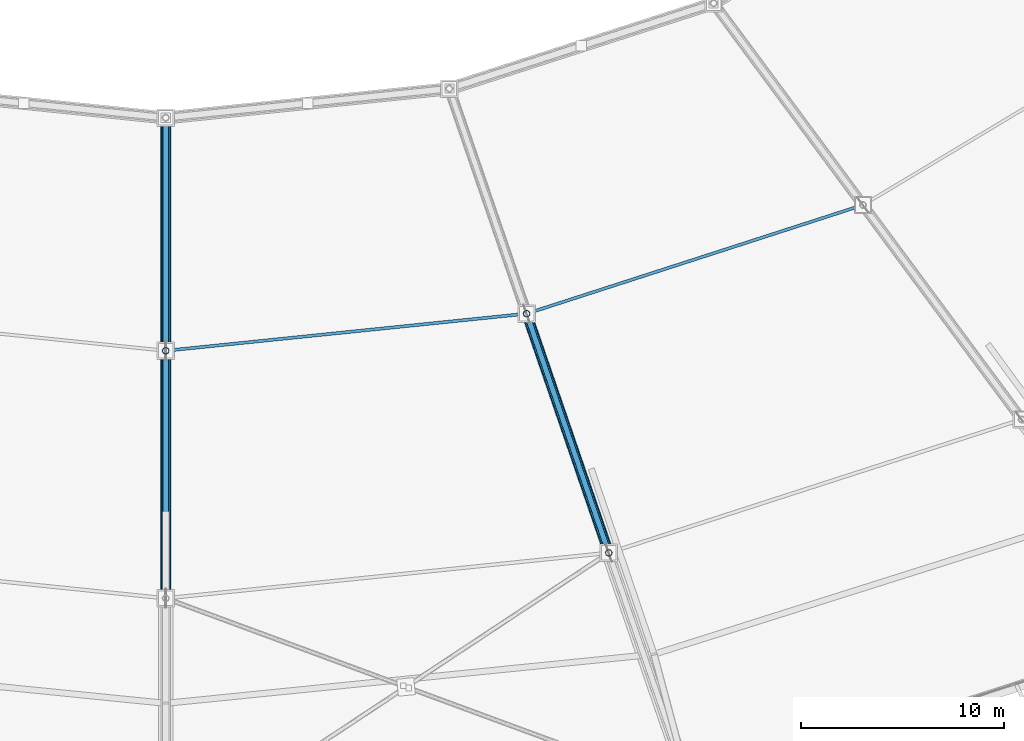
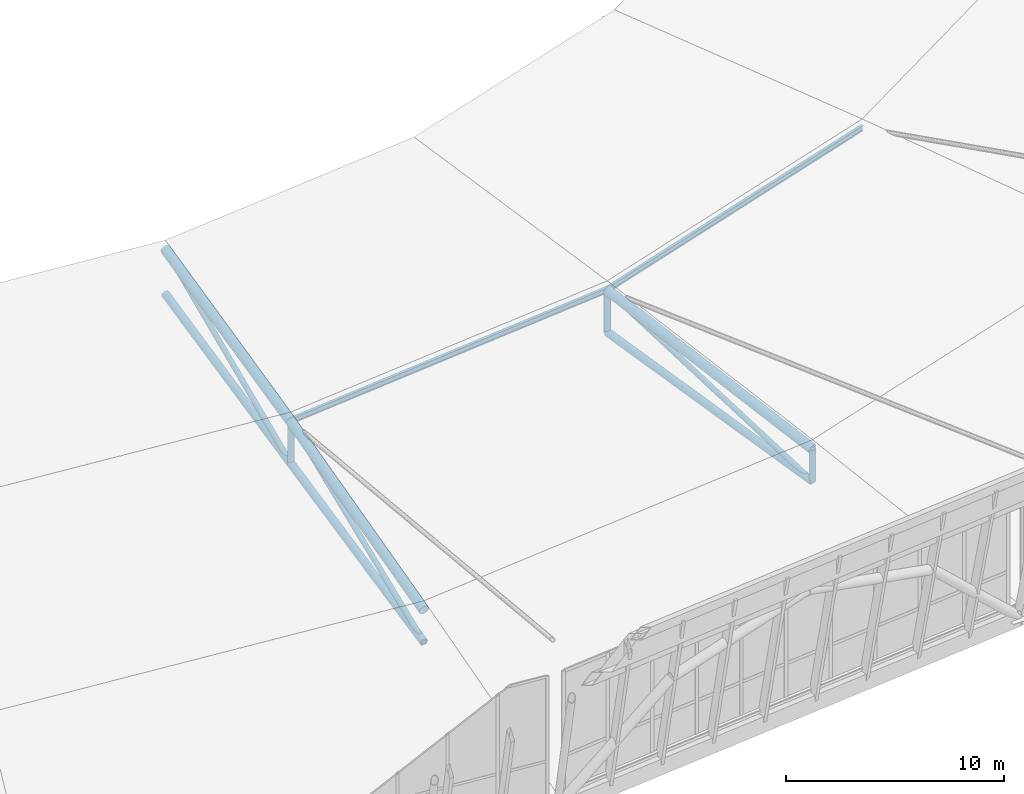
# One storey, part 18 of 115: 14 members.
"""IFC4 building model written with IfcOpenShell, lengths in metres."""

from ifc_helpers import new_model, si_unit, direction, frame, origin, origin_2d, place, context, subcontext, project, spatial, hollow_circle, i_section, extrude, material, material_profile, profile_set, type_object, element, save


model = new_model("IFC4")

# Units and contexts
model_context = context("Model", 3, precision=1e-05, world=origin(), true_north=direction((0.0, 1.0)))
body_context = subcontext(model_context, "Body", "Model", "MODEL_VIEW")
ifc_project = project(units=[si_unit("LENGTHUNIT", "METRE"), si_unit("AREAUNIT", "SQUARE_METRE"), si_unit("VOLUMEUNIT", "CUBIC_METRE"), si_unit("PLANEANGLEUNIT", "RADIAN"), si_unit("MASSUNIT", "GRAM", prefix="KILO")], contexts=[model_context])

# Site, building, storey
site_placement = place(None, origin())
site = spatial("IfcSite", under=ifc_project, at=site_placement, CompositionType="ELEMENT")
building_placement = place(site_placement, origin())
building = spatial("IfcBuilding", under=site, at=building_placement, Name="Zlatoyarsky Gate Stadium", CompositionType="ELEMENT")
storey_placement = place(building_placement, frame((0.0, 0.0, 31.800048828125)))
storey = spatial("IfcBuildingStorey", under=building, at=storey_placement, Name="RF", CompositionType="ELEMENT", Elevation=31.800048828125)

# Members
ifc_material = material(Name="Steel S355", Category="steel")
ifc_material_profile_1 = material_profile(ifc_material, hollow_circle(Radius=0.203125, WallThickness=0.02001953125, at=origin_2d()), Name="CHS 406.4X20")
ifc_profile_set_1 = profile_set([ifc_material_profile_1], Name="Steel S355")
member_type_1 = type_object("IfcMemberType", Name="STEEL ARCH INNER CHORD CHS 406.4X20", PredefinedType="CHORD", material=ifc_profile_set_1)
member_1_placement = place(storey_placement, frame((111.0, 14.176025390625, 1.349853515625), z_axis=(0.0, 0.978046570233, 0.20838643539), x_axis=(-1.0, 0.0, 0.0)))
element("IfcMember", 1, at=member_1_placement, inside=storey, type_object=member_type_1, Name="Radial truss R19 bottom chord 2", PredefinedType="CHORD", context=body_context, shape_type="SweptSolid", body=[
    extrude(hollow_circle(Radius=0.203125, WallThickness=0.02001953125, at=origin_2d()), origin(), (0.0, 0.0, 1.0), 12.477294921875),
])
member_2_placement = place(storey_placement, frame((111.0, 26.37939453125, 3.949951171875), z_axis=(0.0, 0.977121031831, 0.212684012455), x_axis=(-1.0, 0.0, 0.0)))
element("IfcMember", 2, at=member_2_placement, inside=storey, type_object=member_type_1, Name="Radial truss R19 bottom chord 3", PredefinedType="CHORD", context=body_context, shape_type="SweptSolid", body=[
    extrude(hollow_circle(Radius=0.203125, WallThickness=0.02001953125, at=origin_2d()), origin(), (0.0, 0.0, 1.0), 11.754638671875),
])
member_3_placement = place(storey_placement, frame((132.840087890625, 16.418701171875, 1.349853515625), z_axis=(-0.318018478385, 0.925829737225, 0.204214458535), x_axis=(-0.945760529687, -0.324864618704, 0.0)))
element("IfcMember", 3, at=member_3_placement, inside=storey, type_object=member_type_1, Name="Radial truss R20 bottom chord 2", PredefinedType="CHORD", context=body_context, shape_type="SweptSolid", body=[
    extrude(hollow_circle(Radius=0.203125, WallThickness=0.02001953125, at=origin_2d()), origin(), (0.0, 0.0, 1.0), 12.732177734375),
])
ifc_material_profile_2 = material_profile(ifc_material, hollow_circle(Radius=0.25390625, WallThickness=0.02490234375, at=origin_2d()), Name="CHS 508X25")
ifc_profile_set_2 = profile_set([ifc_material_profile_2], Name="Steel S355")
member_type_2 = type_object("IfcMemberType", Name="STEEL ARCH TOP CHORD CHS 508X25", PredefinedType="CHORD", material=ifc_profile_set_2)
member_4_placement = place(storey_placement, frame((111.0, 14.176025390625, 3.14990234375), z_axis=(0.0, 0.968260237155, 0.249944220066), x_axis=(-1.0, 0.0, 0.0)))
element("IfcMember", 4, at=member_4_placement, inside=storey, type_object=member_type_2, Name="Radial truss R19 top chord 2", PredefinedType="CHORD", context=body_context, shape_type="SweptSolid", body=[
    extrude(hollow_circle(Radius=0.25390625, WallThickness=0.02490234375, at=origin_2d()), origin(), (0.0, 0.0, 1.0), 12.603515625),
])
member_5_placement = place(storey_placement, frame((111.0, 26.37939453125, 6.300048828125), z_axis=(0.0, 0.97440271409, 0.224809587815), x_axis=(-1.0, 0.0, 0.0)))
element("IfcMember", 5, at=member_5_placement, inside=storey, type_object=member_type_2, Name="Radial truss R19 top chord 3", PredefinedType="CHORD", context=body_context, shape_type="SweptSolid", body=[
    extrude(hollow_circle(Radius=0.25390625, WallThickness=0.02490234375, at=origin_2d()), origin(), (0.0, 0.0, 1.0), 11.787353515625),
])
member_6_placement = place(storey_placement, frame((132.840087890625, 16.418701171875, 3.14990234375), z_axis=(-0.314960710507, 0.916927825469, 0.245036963984), x_axis=(-0.945760529687, -0.324864618704, 0.0)))
element("IfcMember", 6, at=member_6_placement, inside=storey, type_object=member_type_2, Name="Radial truss R20 top chord 2", PredefinedType="CHORD", context=body_context, shape_type="SweptSolid", body=[
    extrude(hollow_circle(Radius=0.25390625, WallThickness=0.02490234375, at=origin_2d()), origin(), (0.0, 0.0, 1.0), 12.855712890625),
])
ifc_material_profile_3 = material_profile(ifc_material, i_section(OverallWidth=0.14990234375, OverallDepth=0.300048828125, WebThickness=0.007080078125, FlangeThickness=0.0107421875, FilletRadius=0.014892578125, at=origin_2d()), Name="IPE 300")
ifc_profile_set_3 = profile_set([ifc_material_profile_3], Name="Steel S355")
member_type_3 = type_object("IfcMemberType", Name="STEEL BOWL ROOF PURLIN IPE 300", PredefinedType="PURLIN", material=ifc_profile_set_3)
member_7_placement = place(storey_placement, frame((111.0, 26.37939453125, 6.329833984375), z_axis=(0.99476764542, 0.102163259665, 0.0), x_axis=(-0.102163259665, 0.99476764542, 0.0)))
element("IfcMember", 7, at=member_7_placement, inside=storey, type_object=member_type_3, Name="Stadium roof purlin 18.2", PredefinedType="PURLIN", context=body_context, shape_type="SweptSolid", body=[
    extrude(i_section(OverallWidth=0.14990234375, OverallDepth=0.300048828125, WebThickness=0.007080078125, FlangeThickness=0.0107421875, FilletRadius=0.014892578125, at=origin_2d()), origin(), (0.0, 0.0, 1.0), 17.884521484375),
])
member_8_placement = place(storey_placement, frame((128.791015625, 28.20654296875, 6.329833984375), z_axis=(0.951560451481, 0.307461716603, 0.0), x_axis=(-0.307461716603, 0.951560451481, 0.0)))
element("IfcMember", 8, at=member_8_placement, inside=storey, type_object=member_type_3, Name="Stadium roof purlin 19.2", PredefinedType="PURLIN", context=body_context, shape_type="SweptSolid", body=[
    extrude(i_section(OverallWidth=0.14990234375, OverallDepth=0.300048828125, WebThickness=0.007080078125, FlangeThickness=0.0107421875, FilletRadius=0.014892578125, at=origin_2d()), origin(), (0.0, 0.0, 1.0), 17.42236328125),
])
ifc_material_profile_4 = material_profile(ifc_material, hollow_circle(Radius=0.136474609375, WallThickness=0.01611328125, at=origin_2d()), Name="CHS 273X16")
ifc_profile_set_4 = profile_set([ifc_material_profile_4], Name="Steel S355")
member_type_4 = type_object("IfcMemberType", Name="STEEL ROOF TRUSS DIAGONAL CHS 273X16", PredefinedType="BRACE", material=ifc_profile_set_4)
member_9_placement = place(storey_placement, frame((111.0, 14.176025390625, 1.349853515625), z_axis=(0.0, 0.926663012019, 0.37589315258), x_axis=(-1.0, 0.0, 0.0)))
element("IfcMember", 9, at=member_9_placement, inside=storey, type_object=member_type_4, Name="Radial truss R19 web diagonal 2", PredefinedType="BRACE", context=body_context, shape_type="SweptSolid", body=[
    extrude(hollow_circle(Radius=0.136474609375, WallThickness=0.01611328125, at=origin_2d()), origin(), (0.0, 0.0, 1.0), 13.169189453125),
])
member_10_placement = place(storey_placement, frame((111.0, 26.37939453125, 3.949951171875), z_axis=(0.0, 0.916887148251, 0.399146536214), x_axis=(-1.0, 0.0, 0.0)))
element("IfcMember", 10, at=member_10_placement, inside=storey, type_object=member_type_4, Name="Radial truss R19 web diagonal 3", PredefinedType="BRACE", context=body_context, shape_type="SweptSolid", body=[
    extrude(hollow_circle(Radius=0.136474609375, WallThickness=0.01611328125, at=origin_2d()), origin(), (0.0, 0.0, 1.0), 12.526611328125),
])
member_11_placement = place(storey_placement, frame((132.840087890625, 16.418701171875, 1.349853515625), z_axis=(-0.301923645415, 0.878973733589, 0.36911690289), x_axis=(-0.945760529687, -0.324864618704, 0.0)))
element("IfcMember", 11, at=member_11_placement, inside=storey, type_object=member_type_4, Name="Radial truss R20 web diagonal 2", PredefinedType="BRACE", context=body_context, shape_type="SweptSolid", body=[
    extrude(hollow_circle(Radius=0.136474609375, WallThickness=0.01611328125, at=origin_2d()), origin(), (0.0, 0.0, 1.0), 13.410888671875),
])
ifc_material_profile_5 = material_profile(ifc_material, hollow_circle(Radius=0.161865234375, WallThickness=0.01611328125, at=origin_2d()), Name="CHS 323.9X16")
ifc_profile_set_5 = profile_set([ifc_material_profile_5], Name="Steel S355")
member_type_5 = type_object("IfcMemberType", Name="STEEL TRUSS WEB STRUT CHS 323.9X16", PredefinedType="STRUT", material=ifc_profile_set_5)
member_12_placement = place(storey_placement, frame((111.0, 26.37939453125, 3.949951171875), z_axis=(0.0, 0.0, 1.0), x_axis=(1.0, 0.0, 0.0)))
element("IfcMember", 12, at=member_12_placement, inside=storey, type_object=member_type_5, Name="Radial truss R19 web strut 2", PredefinedType="STRUT", context=body_context, shape_type="SweptSolid", body=[
    extrude(hollow_circle(Radius=0.161865234375, WallThickness=0.01611328125, at=origin_2d()), origin(), (0.0, 0.0, 1.0), 2.35009765625),
])
member_13_placement = place(storey_placement, frame((132.840087890625, 16.418701171875, 1.349853515625), z_axis=(0.0, 0.0, 1.0), x_axis=(1.0, 0.0, 0.0)))
element("IfcMember", 13, at=member_13_placement, inside=storey, type_object=member_type_5, Name="Radial truss R20 web strut 1", PredefinedType="STRUT", context=body_context, shape_type="SweptSolid", body=[
    extrude(hollow_circle(Radius=0.161865234375, WallThickness=0.01611328125, at=origin_2d()), origin(), (0.0, 0.0, 1.0), 1.800048828125),
])
member_14_placement = place(storey_placement, frame((128.791015625, 28.20654296875, 3.949951171875), z_axis=(0.0, 0.0, 1.0), x_axis=(1.0, 0.0, 0.0)))
element("IfcMember", 14, at=member_14_placement, inside=storey, type_object=member_type_5, Name="Radial truss R20 web strut 2", PredefinedType="STRUT", context=body_context, shape_type="SweptSolid", body=[
    extrude(hollow_circle(Radius=0.161865234375, WallThickness=0.01611328125, at=origin_2d()), origin(), (0.0, 0.0, 1.0), 2.35009765625),
])

save(model, "model.ifc")
